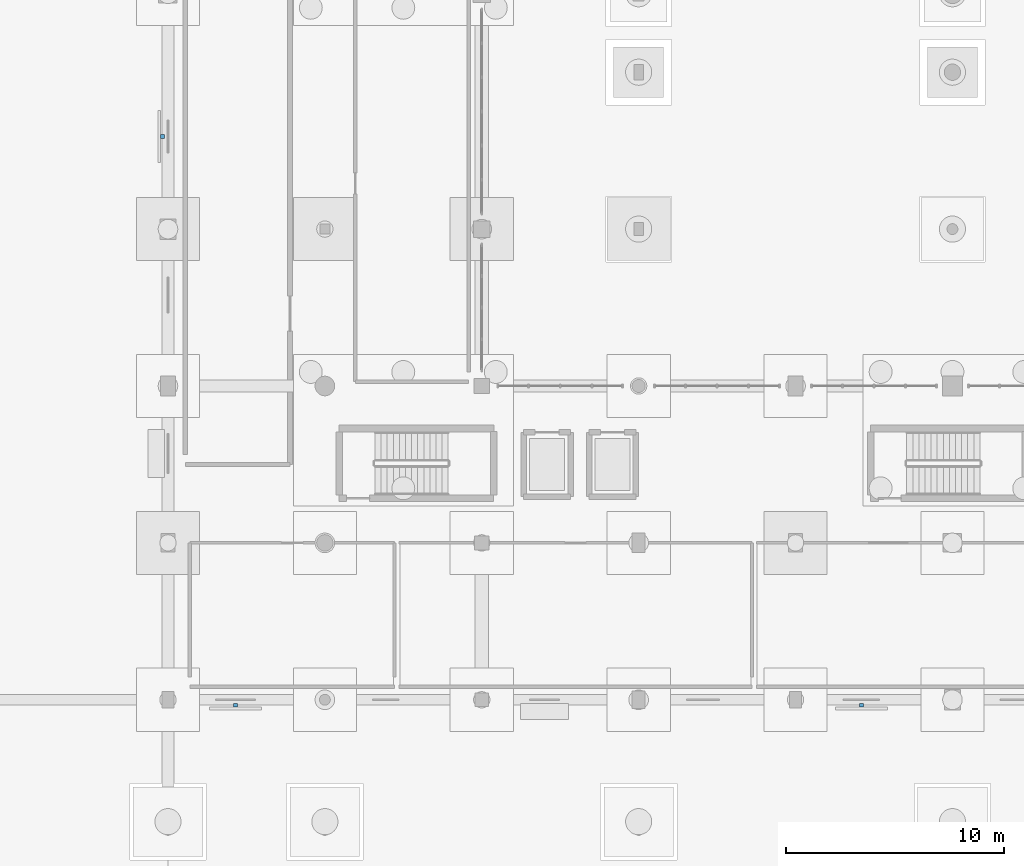
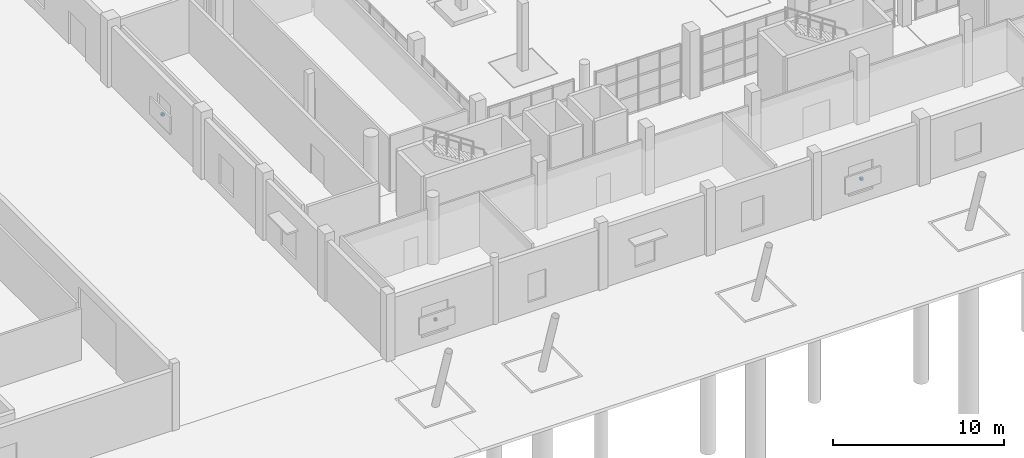
# One storey, part 266 of 285: 3 discrete accessories.
"""IFC4 building model written with IfcOpenShell, lengths in metres."""

from ifc_helpers import new_model, si_unit, direction, frame, origin, origin_2d, place, context, subcontext, project, spatial, rectangle, extrude, material, type_object, element, save


model = new_model("IFC4")

# Units and contexts
model_context = context("Model", 3, precision=1e-05, world=origin(), true_north=direction((0.0, 1.0)))
body_context = subcontext(model_context, "Body", "Model", "MODEL_VIEW")
ifc_project = project(units=[si_unit("LENGTHUNIT", "METRE"), si_unit("AREAUNIT", "SQUARE_METRE"), si_unit("VOLUMEUNIT", "CUBIC_METRE"), si_unit("PLANEANGLEUNIT", "RADIAN"), si_unit("MASSUNIT", "GRAM", prefix="KILO")], contexts=[model_context])

# Site, building, storey
site_placement = place(None, origin())
site = spatial("IfcSite", under=ifc_project, at=site_placement, CompositionType="ELEMENT")
building_placement = place(site_placement, origin())
building = spatial("IfcBuilding", under=site, at=building_placement, Name="Solanera Park Tramway Depot", CompositionType="ELEMENT")
storey_placement = place(building_placement, origin())
storey = spatial("IfcBuildingStorey", under=building, at=storey_placement, Name="L00", CompositionType="ELEMENT", Elevation=0.0)

# Discrete accessories
ifc_material = material(Name="Steel AS/NZS 3679.1 Grade 350", Category="steel")
discrete_accessory_type = type_object("IfcDiscreteAccessoryType", Name="Facade Sunshade Fixing Bracket 180x180", PredefinedType="BRACKET", material=ifc_material)
for number, where, z_axis, x_axis, name in (
    (1, (111.10009765625, 10.550048828125, 1.705078125), (0.0, 0.0, 1.0), (1.0, 0.0, 0.0), "Jalousie Bracket #016"),
    (2, (139.824951171875, 10.550048828125, 1.68017578125), (0.0, 0.0, 1.0), (1.0, 0.0, 0.0), "Jalousie Bracket #018"),
    (3, (107.75, 36.64990234375, 1.68017578125), (0.0, 0.0, 1.0), (0.0, -1.0, 0.0), "Jalousie Bracket #022"),
):
    element("IfcDiscreteAccessory", number, at=place(storey_placement, frame(where, z_axis=z_axis, x_axis=x_axis)), inside=storey, type_object=discrete_accessory_type, Name=name, PredefinedType="BRACKET", context=body_context, shape_type="SweptSolid", body=[
        extrude(rectangle(XDim=0.179931640625, YDim=0.179931640625, at=origin_2d()), origin(), (0.0, 0.0, 1.0), 0.179931640625),
    ])

save(model, "model.ifc")
